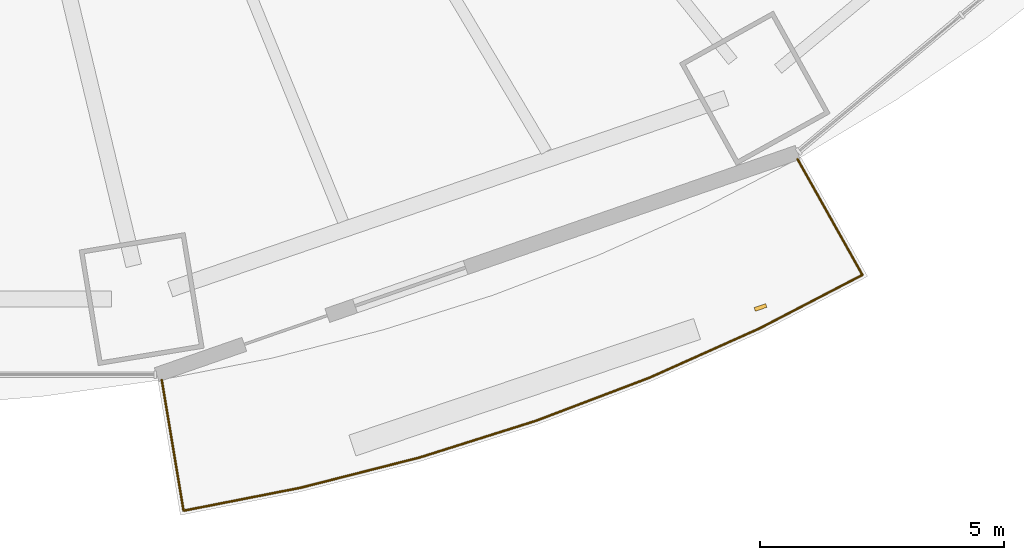
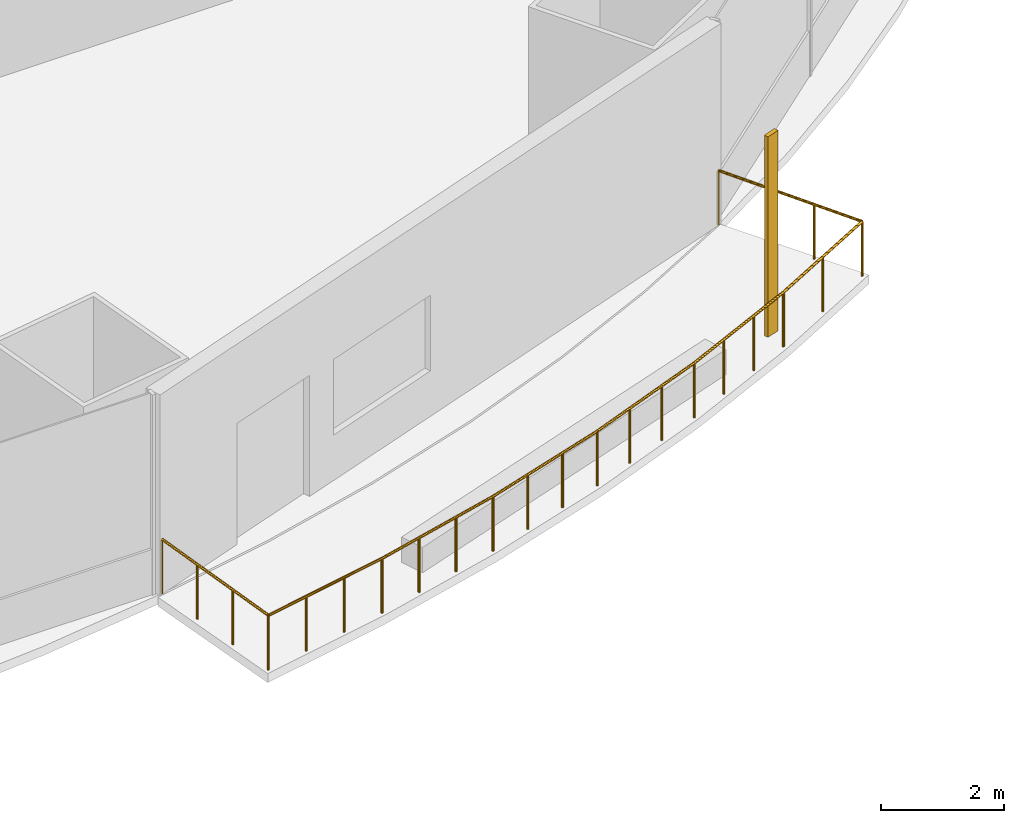
# One storey, part 19 of 23: 1 railing, 1 shading device.
"""IFC4 building model written with IfcOpenShell, lengths in metres."""

from ifc_helpers import new_model, si_unit, direction, frame, origin, origin_2d, place, context, subcontext, project, spatial, rectangle, circle, extrude, material, material_profile, profile_set, type_object, element, save


model = new_model("IFC4")

# Units and contexts
model_context = context("Model", 3, precision=1e-05, world=origin(), true_north=direction((0.0, 1.0)))
body_context = subcontext(model_context, "Body", "Model", "MODEL_VIEW")
ifc_project = project(units=[si_unit("LENGTHUNIT", "METRE"), si_unit("AREAUNIT", "SQUARE_METRE"), si_unit("VOLUMEUNIT", "CUBIC_METRE"), si_unit("PLANEANGLEUNIT", "RADIAN"), si_unit("MASSUNIT", "GRAM", prefix="KILO")], contexts=[model_context])

# Site, building, storey
site_placement = place(None, origin())
site = spatial("IfcSite", under=ifc_project, at=site_placement, CompositionType="ELEMENT")
building_placement = place(site_placement, origin())
building = spatial("IfcBuilding", under=site, at=building_placement, Name="Marenthal Gate Tower", CompositionType="ELEMENT")
storey_placement = place(building_placement, frame((0.0, 0.0, 49.60009765625)))
storey = spatial("IfcBuildingStorey", under=building, at=storey_placement, Name="L08", CompositionType="ELEMENT", Elevation=49.60009765625)

# Railing
ifc_material_1 = material(Name="Stainless steel", Category="steel")
railing_type = type_object("IfcRailingType", Name="Balcony guard 1100", PredefinedType="GUARDRAIL", material=ifc_material_1)
railing_placement = place(storey_placement, frame((20.24072265625, -25.51123046875, 0.0)))
element("IfcRailing", 1, at=railing_placement, inside=storey, type_object=railing_type, Name="Balcony guard L08 bay 13", PredefinedType="GUARDRAIL", context=body_context, shape_type="SweptSolid", body=[
    extrude(circle(Radius=0.02392578125, at=origin_2d()), frame((0.0, 0.0, 1.076171875), z_axis=(0.488779989422, -0.872282908041, -0.014719044852), x_axis=(0.872377413566, 0.488832945188, 0.0)), (0.0, 0.0, 1.0), 2.72021484375),
    extrude(circle(Radius=0.02392578125, at=origin_2d()), frame((1.32958984375, -2.372802734375, 1.0361328125), z_axis=(-0.887280789471, -0.461229661487, 0.0), x_axis=(0.461229661487, -0.887280789471, 0.0)), (0.0, 0.0, 1.0), 2.37353515625),
    extrude(circle(Radius=0.02392578125, at=origin_2d()), frame((-0.7763671875, -3.467529296875, 1.0361328125), z_axis=(-0.912605925031, -0.408840342429, 0.0), x_axis=(0.408840342429, -0.912605925031, 0.0)), (0.0, 0.0, 1.0), 2.4716796875),
    extrude(circle(Radius=0.02392578125, at=origin_2d()), frame((-3.031982421875, -4.47802734375, 1.0361328125), z_axis=(-0.934902124895, -0.354905645019, 0.0), x_axis=(0.354905645019, -0.934902124895, 0.0)), (0.0, 0.0, 1.0), 2.488037109375),
    extrude(circle(Radius=0.02392578125, at=origin_2d()), frame((-5.358154296875, -5.361083984375, 1.0361328125), z_axis=(-0.953671084495, -0.30085123001, 0.0), x_axis=(0.30085123001, -0.953671084495, 0.0)), (0.0, 0.0, 1.0), 2.502685546875),
    extrude(circle(Radius=0.02392578125, at=origin_2d()), frame((-7.744873046875, -6.114013671875, 1.0361328125), z_axis=(-0.969181494284, -0.246347784927, 0.0), x_axis=(0.246347784927, -0.969181494284, 0.0)), (0.0, 0.0, 1.0), 2.515380859375),
    extrude(circle(Radius=0.02392578125, at=origin_2d()), frame((-10.1826171875, -6.733642578125, 1.0361328125), z_axis=(-0.981261967917, -0.19267835976, 0.0), x_axis=(0.19267835976, -0.981261967917, 0.0)), (0.0, 0.0, 1.0), 2.445556640625),
    extrude(circle(Radius=0.02392578125, at=origin_2d()), frame((-12.582275390625, -7.204833984375, 1.0361328125), z_axis=(-0.164512163182, 0.986265227064, 0.014719036968), x_axis=(-0.986372081632, -0.164529986862, 0.0)), (0.0, 0.0, 1.0), 2.72021484375),
    extrude(circle(Radius=0.02099609375, at=origin_2d()), origin(), (0.0, 0.0, 1.0), 1.052001953125),
    extrude(circle(Radius=0.02099609375, at=origin_2d()), frame((0.443115234375, -0.791015625, -0.013427734375)), (0.0, 0.0, 1.0), 1.052001953125),
    extrude(circle(Radius=0.02099609375, at=origin_2d()), frame((0.886474609375, -1.581787109375, -0.026611328125)), (0.0, 0.0, 1.0), 1.052001953125),
    extrude(circle(Radius=0.02099609375, at=origin_2d()), frame((1.32958984375, -2.372802734375, -0.0400390625)), (0.0, 0.0, 1.0), 1.052001953125),
    extrude(circle(Radius=0.02099609375, at=origin_2d()), frame((0.276611328125, -2.920166015625, -0.0400390625)), (0.0, 0.0, 1.0), 1.052001953125),
    extrude(circle(Radius=0.02099609375, at=origin_2d()), frame((-0.7763671875, -3.467529296875, -0.0400390625)), (0.0, 0.0, 1.0), 1.052001953125),
    extrude(circle(Radius=0.02099609375, at=origin_2d()), frame((-1.5283203125, -3.804443359375, -0.0400390625)), (0.0, 0.0, 1.0), 1.052001953125),
    extrude(circle(Radius=0.02099609375, at=origin_2d()), frame((-2.280029296875, -4.14111328125, -0.0400390625)), (0.0, 0.0, 1.0), 1.052001953125),
    extrude(circle(Radius=0.02099609375, at=origin_2d()), frame((-3.031982421875, -4.47802734375, -0.0400390625)), (0.0, 0.0, 1.0), 1.052001953125),
    extrude(circle(Radius=0.02099609375, at=origin_2d()), frame((-3.807373046875, -4.7724609375, -0.0400390625)), (0.0, 0.0, 1.0), 1.052001953125),
    extrude(circle(Radius=0.02099609375, at=origin_2d()), frame((-4.582763671875, -5.066650390625, -0.0400390625)), (0.0, 0.0, 1.0), 1.052001953125),
    extrude(circle(Radius=0.02099609375, at=origin_2d()), frame((-5.358154296875, -5.361083984375, -0.0400390625)), (0.0, 0.0, 1.0), 1.052001953125),
    extrude(circle(Radius=0.02099609375, at=origin_2d()), frame((-6.15380859375, -5.612060546875, -0.0400390625)), (0.0, 0.0, 1.0), 1.052001953125),
    extrude(circle(Radius=0.02099609375, at=origin_2d()), frame((-6.94921875, -5.863037109375, -0.0400390625)), (0.0, 0.0, 1.0), 1.052001953125),
    extrude(circle(Radius=0.02099609375, at=origin_2d()), frame((-7.744873046875, -6.114013671875, -0.0400390625)), (0.0, 0.0, 1.0), 1.052001953125),
    extrude(circle(Radius=0.02099609375, at=origin_2d()), frame((-8.557373046875, -6.320556640625, -0.0400390625)), (0.0, 0.0, 1.0), 1.052001953125),
    extrude(circle(Radius=0.02099609375, at=origin_2d()), frame((-9.3701171875, -6.527099609375, -0.0400390625)), (0.0, 0.0, 1.0), 1.052001953125),
    extrude(circle(Radius=0.02099609375, at=origin_2d()), frame((-10.1826171875, -6.733642578125, -0.0400390625)), (0.0, 0.0, 1.0), 1.052001953125),
    extrude(circle(Radius=0.02099609375, at=origin_2d()), frame((-10.982421875, -6.890625, -0.0400390625)), (0.0, 0.0, 1.0), 1.052001953125),
    extrude(circle(Radius=0.02099609375, at=origin_2d()), frame((-11.782470703125, -7.0478515625, -0.0400390625)), (0.0, 0.0, 1.0), 1.052001953125),
    extrude(circle(Radius=0.02099609375, at=origin_2d()), frame((-12.582275390625, -7.204833984375, -0.0400390625)), (0.0, 0.0, 1.0), 1.052001953125),
    extrude(circle(Radius=0.02099609375, at=origin_2d()), frame((-12.7314453125, -6.310546875, -0.026611328125)), (0.0, 0.0, 1.0), 1.052001953125),
    extrude(circle(Radius=0.02099609375, at=origin_2d()), frame((-12.880615234375, -5.416259765625, -0.013427734375)), (0.0, 0.0, 1.0), 1.052001953125),
    extrude(circle(Radius=0.02099609375, at=origin_2d()), frame((-13.02978515625, -4.52197265625, 0.0)), (0.0, 0.0, 1.0), 1.052001953125),
])

# Shading device
ifc_material_2 = material(Name="Terracotta", Category="masonry")
ifc_material_profile = material_profile(ifc_material_2, rectangle(XDim=0.25, YDim=0.080078125, at=origin_2d()), Name="Terracotta baguette 250x80")
ifc_profile_set = profile_set([ifc_material_profile], Name="Terracotta")
shading_device_type = type_object("IfcShadingDeviceType", Name="Terracotta BAGUETTE SCREEN 250x80", PredefinedType="USERDEFINED", material=ifc_profile_set)
shading_device_placement = place(storey_placement, frame((19.481689453125, -28.55078125, -0.0400390625), z_axis=(0.0, 0.0, 1.0), x_axis=(0.944690686162, 0.327962661713, 0.0)))
element("IfcShadingDevice", 2, at=shading_device_placement, inside=storey, type_object=shading_device_type, Name="Terracotta BAGUETTE L08 bay 13R", ObjectType="BAGUETTE SCREEN", PredefinedType="USERDEFINED", context=body_context, shape_type="SweptSolid", body=[
    extrude(rectangle(XDim=0.25, YDim=0.080078125, at=origin_2d()), origin(), (0.0, 0.0, 1.0), 3.969970703125),
])

save(model, "model.ifc")
